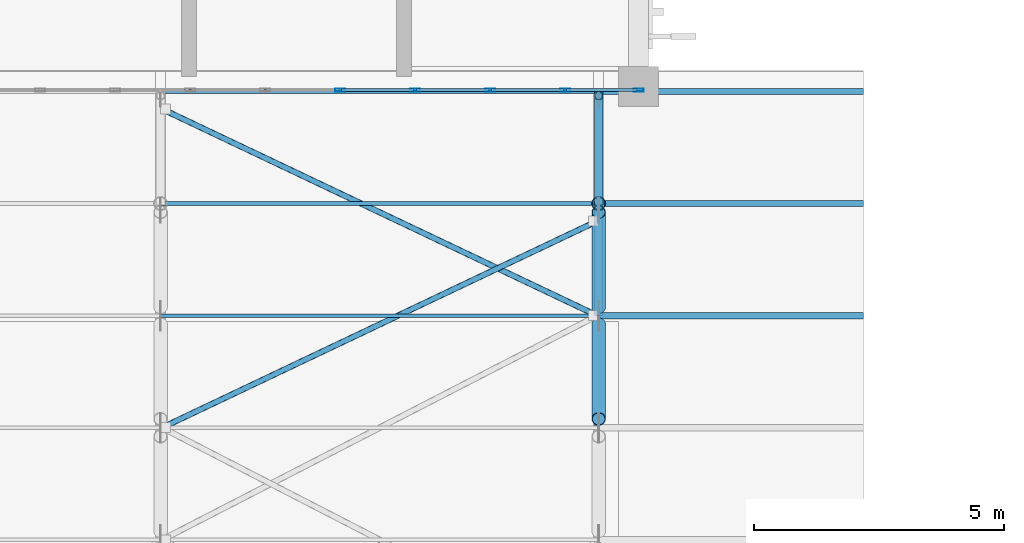
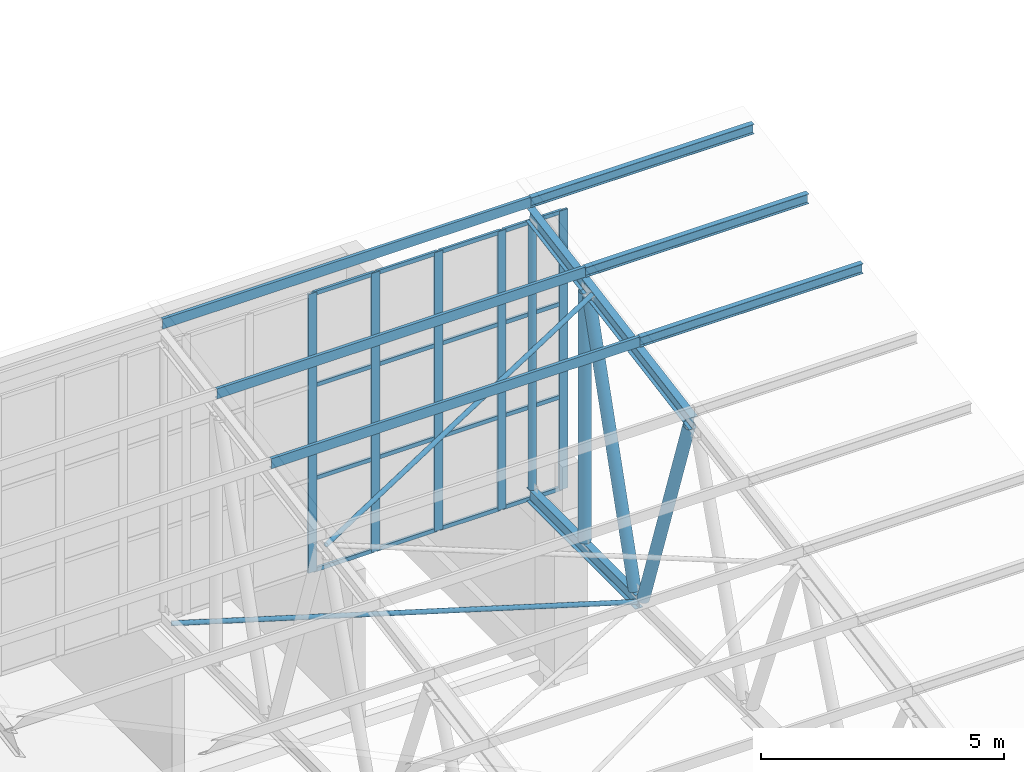
# One storey, part 68 of 185: 36 members, 1 element without a shape of its own.
"""IFC4 building model written with IfcOpenShell, lengths in metres."""

from ifc_helpers import new_model, si_unit, direction, frame, origin, origin_2d, place, context, subcontext, project, spatial, polyline, hollow_rectangle, hollow_circle, i_section, outline, extrude, material, layer, layer_set, material_profile, profile_set, type_object, element, aggregate, save


model = new_model("IFC4")

# Units and contexts
model_context = context("Model", 3, precision=1e-05, world=origin(), true_north=direction((0.0, 1.0)))
body_context = subcontext(model_context, "Body", "Model", "MODEL_VIEW")
ifc_project = project(units=[si_unit("LENGTHUNIT", "METRE"), si_unit("AREAUNIT", "SQUARE_METRE"), si_unit("VOLUMEUNIT", "CUBIC_METRE"), si_unit("PLANEANGLEUNIT", "RADIAN"), si_unit("MASSUNIT", "GRAM", prefix="KILO")], contexts=[model_context])

# Site, building, storey
site_placement = place(None, origin())
site = spatial("IfcSite", under=ifc_project, at=site_placement, CompositionType="ELEMENT")
building_placement = place(site_placement, origin())
building = spatial("IfcBuilding", under=site, at=building_placement, Name="Opaline Strait Convention Centre", CompositionType="ELEMENT")
storey_placement = place(building_placement, frame((0.0, 0.0, 6.0)))
storey = spatial("IfcBuildingStorey", under=building, at=storey_placement, Name="L01", CompositionType="ELEMENT", Elevation=6.0)

# Curtain wall, members
ifc_material_1 = material(Name="Aluminium 6063-T5", Category="aluminium")
ifc_layer = layer(ifc_material_1, 0.199951171875)
ifc_layer_set = layer_set([ifc_layer], Name="Aluminium 6063-T5")
curtain_wall_type = type_object("IfcCurtainWallType", Name="Unitised curtain wall 1640 module", PredefinedType="NOTDEFINED", material=ifc_layer_set)
curtain_wall_placement = place(storey_placement, origin())
curtain_wall = element("IfcCurtainWall", 1, at=curtain_wall_placement, inside=storey, type_object=curtain_wall_type, Name="Ballroom north clerestory curtain wall", PredefinedType="NOTDEFINED")
ifc_material_2 = material(Name="Aluminium alloy 6063", Category="aluminium")
ifc_material_profile_1 = material_profile(ifc_material_2, hollow_rectangle(XDim=0.06005859375, YDim=0.199951171875, WallThickness=0.00390625, at=origin_2d()), Name="MULLION 60x200x4")
ifc_profile_set_1 = profile_set([ifc_material_profile_1], Name="Aluminium alloy 6063")
member_type_1 = type_object("IfcMemberType", Name="Curtain wall mullion 60 x 200", PredefinedType="MULLION", material=ifc_profile_set_1)
member_1_placement = place(storey_placement, frame((345.0244140625, 62.929931640625, 4.324951171875), z_axis=(0.0, 0.0, 1.0), x_axis=(0.0, 1.0, 0.0)))
member_1 = element("IfcMember", 2, at=member_1_placement, type_object=member_type_1, Name="BG2 mullion 39", PredefinedType="MULLION", context=body_context, shape_type="SweptSolid", body=[
    extrude(hollow_rectangle(XDim=0.06005859375, YDim=0.199951171875, WallThickness=0.00390625, at=origin_2d()), origin(), (0.0, 0.0, 1.0), 7.01513671875),
])
member_2_placement = place(storey_placement, frame((346.525634765625, 62.929931640625, 4.324951171875), z_axis=(0.0, 0.0, 1.0), x_axis=(0.0, 1.0, 0.0)))
member_2 = element("IfcMember", 3, at=member_2_placement, type_object=member_type_1, Name="BG2 mullion 40", PredefinedType="MULLION", context=body_context, shape_type="SweptSolid", body=[
    extrude(hollow_rectangle(XDim=0.06005859375, YDim=0.199951171875, WallThickness=0.00390625, at=origin_2d()), origin(), (0.0, 0.0, 1.0), 7.01513671875),
])
member_3_placement = place(storey_placement, frame((348.027099609375, 62.929931640625, 4.324951171875), z_axis=(0.0, 0.0, 1.0), x_axis=(0.0, 1.0, 0.0)))
member_3 = element("IfcMember", 4, at=member_3_placement, type_object=member_type_1, Name="BG2 mullion 41", PredefinedType="MULLION", context=body_context, shape_type="SweptSolid", body=[
    extrude(hollow_rectangle(XDim=0.06005859375, YDim=0.199951171875, WallThickness=0.00390625, at=origin_2d()), origin(), (0.0, 0.0, 1.0), 7.01513671875),
])
member_4_placement = place(storey_placement, frame((349.528564453125, 62.929931640625, 4.324951171875), z_axis=(0.0, 0.0, 1.0), x_axis=(0.0, 1.0, 0.0)))
member_4 = element("IfcMember", 5, at=member_4_placement, type_object=member_type_1, Name="BG2 mullion 42", PredefinedType="MULLION", context=body_context, shape_type="SweptSolid", body=[
    extrude(hollow_rectangle(XDim=0.06005859375, YDim=0.199951171875, WallThickness=0.00390625, at=origin_2d()), origin(), (0.0, 0.0, 1.0), 7.01513671875),
])
member_5_placement = place(storey_placement, frame((351.0, 62.929931640625, 4.324951171875), z_axis=(0.0, 0.0, 1.0), x_axis=(0.0, 1.0, 0.0)))
member_5 = element("IfcMember", 6, at=member_5_placement, type_object=member_type_1, Name="BG2 mullion 43", PredefinedType="MULLION", context=body_context, shape_type="SweptSolid", body=[
    extrude(hollow_rectangle(XDim=0.06005859375, YDim=0.199951171875, WallThickness=0.00390625, at=origin_2d()), origin(), (0.0, 0.0, 1.0), 7.01513671875),
])
ifc_material_profile_2 = material_profile(ifc_material_2, hollow_rectangle(XDim=0.06005859375, YDim=0.10009765625, WallThickness=0.0029296875, at=origin_2d()), Name="TRANSOM 60x100x3")
ifc_profile_set_2 = profile_set([ifc_material_profile_2], Name="Aluminium alloy 6063")
member_type_2 = type_object("IfcMemberType", Name="Curtain wall transom 60 x 100", PredefinedType="USERDEFINED", material=ifc_profile_set_2)
member_6_placement = place(storey_placement, frame((345.05419921875, 62.929931640625, 4.35498046875), z_axis=(1.0, 0.0, 0.0), x_axis=(0.0, 1.0, 0.0)))
member_6 = element("IfcMember", 7, at=member_6_placement, type_object=member_type_2, Name="BG2 transom 39.1", ObjectType="TRANSOM", PredefinedType="USERDEFINED", context=body_context, shape_type="SweptSolid", body=[
    extrude(hollow_rectangle(XDim=0.06005859375, YDim=0.10009765625, WallThickness=0.0029296875, at=origin_2d()), origin(), (0.0, 0.0, 1.0), 1.441650390625),
])
member_7_placement = place(storey_placement, frame((345.05419921875, 62.929931640625, 6.663330078125), z_axis=(1.0, 0.0, 0.0), x_axis=(0.0, 1.0, 0.0)))
member_7 = element("IfcMember", 8, at=member_7_placement, type_object=member_type_2, Name="BG2 transom 39.2", ObjectType="TRANSOM", PredefinedType="USERDEFINED", context=body_context, shape_type="SweptSolid", body=[
    extrude(hollow_rectangle(XDim=0.06005859375, YDim=0.10009765625, WallThickness=0.0029296875, at=origin_2d()), origin(), (0.0, 0.0, 1.0), 1.441650390625),
])
member_8_placement = place(storey_placement, frame((345.05419921875, 62.929931640625, 9.001708984375), z_axis=(1.0, 0.0, 0.0), x_axis=(0.0, 1.0, 0.0)))
member_8 = element("IfcMember", 9, at=member_8_placement, type_object=member_type_2, Name="BG2 transom 39.3", ObjectType="TRANSOM", PredefinedType="USERDEFINED", context=body_context, shape_type="SweptSolid", body=[
    extrude(hollow_rectangle(XDim=0.06005859375, YDim=0.10009765625, WallThickness=0.0029296875, at=origin_2d()), origin(), (0.0, 0.0, 1.0), 1.441650390625),
])
member_9_placement = place(storey_placement, frame((345.05419921875, 62.929931640625, 11.31005859375), z_axis=(1.0, 0.0, 0.0), x_axis=(0.0, 1.0, 0.0)))
member_9 = element("IfcMember", 10, at=member_9_placement, type_object=member_type_2, Name="BG2 transom 39.4", ObjectType="TRANSOM", PredefinedType="USERDEFINED", context=body_context, shape_type="SweptSolid", body=[
    extrude(hollow_rectangle(XDim=0.06005859375, YDim=0.10009765625, WallThickness=0.0029296875, at=origin_2d()), origin(), (0.0, 0.0, 1.0), 1.441650390625),
])
member_10_placement = place(storey_placement, frame((346.5556640625, 62.929931640625, 4.35498046875), z_axis=(1.0, 0.0, 0.0), x_axis=(0.0, 1.0, 0.0)))
member_10 = element("IfcMember", 11, at=member_10_placement, type_object=member_type_2, Name="BG2 transom 40.1", ObjectType="TRANSOM", PredefinedType="USERDEFINED", context=body_context, shape_type="SweptSolid", body=[
    extrude(hollow_rectangle(XDim=0.06005859375, YDim=0.10009765625, WallThickness=0.0029296875, at=origin_2d()), origin(), (0.0, 0.0, 1.0), 1.44140625),
])
member_11_placement = place(storey_placement, frame((346.5556640625, 62.929931640625, 6.663330078125), z_axis=(1.0, 0.0, 0.0), x_axis=(0.0, 1.0, 0.0)))
member_11 = element("IfcMember", 12, at=member_11_placement, type_object=member_type_2, Name="BG2 transom 40.2", ObjectType="TRANSOM", PredefinedType="USERDEFINED", context=body_context, shape_type="SweptSolid", body=[
    extrude(hollow_rectangle(XDim=0.06005859375, YDim=0.10009765625, WallThickness=0.0029296875, at=origin_2d()), origin(), (0.0, 0.0, 1.0), 1.44140625),
])
member_12_placement = place(storey_placement, frame((346.5556640625, 62.929931640625, 9.001708984375), z_axis=(1.0, 0.0, 0.0), x_axis=(0.0, 1.0, 0.0)))
member_12 = element("IfcMember", 13, at=member_12_placement, type_object=member_type_2, Name="BG2 transom 40.3", ObjectType="TRANSOM", PredefinedType="USERDEFINED", context=body_context, shape_type="SweptSolid", body=[
    extrude(hollow_rectangle(XDim=0.06005859375, YDim=0.10009765625, WallThickness=0.0029296875, at=origin_2d()), origin(), (0.0, 0.0, 1.0), 1.44140625),
])
member_13_placement = place(storey_placement, frame((346.5556640625, 62.929931640625, 11.31005859375), z_axis=(1.0, 0.0, 0.0), x_axis=(0.0, 1.0, 0.0)))
member_13 = element("IfcMember", 14, at=member_13_placement, type_object=member_type_2, Name="BG2 transom 40.4", ObjectType="TRANSOM", PredefinedType="USERDEFINED", context=body_context, shape_type="SweptSolid", body=[
    extrude(hollow_rectangle(XDim=0.06005859375, YDim=0.10009765625, WallThickness=0.0029296875, at=origin_2d()), origin(), (0.0, 0.0, 1.0), 1.44140625),
])
member_14_placement = place(storey_placement, frame((348.05712890625, 62.929931640625, 4.35498046875), z_axis=(1.0, 0.0, 0.0), x_axis=(0.0, 1.0, 0.0)))
member_14 = element("IfcMember", 15, at=member_14_placement, type_object=member_type_2, Name="BG2 transom 41.1", ObjectType="TRANSOM", PredefinedType="USERDEFINED", context=body_context, shape_type="SweptSolid", body=[
    extrude(hollow_rectangle(XDim=0.06005859375, YDim=0.10009765625, WallThickness=0.0029296875, at=origin_2d()), origin(), (0.0, 0.0, 1.0), 1.44140625),
])
member_15_placement = place(storey_placement, frame((348.05712890625, 62.929931640625, 6.663330078125), z_axis=(1.0, 0.0, 0.0), x_axis=(0.0, 1.0, 0.0)))
member_15 = element("IfcMember", 16, at=member_15_placement, type_object=member_type_2, Name="BG2 transom 41.2", ObjectType="TRANSOM", PredefinedType="USERDEFINED", context=body_context, shape_type="SweptSolid", body=[
    extrude(hollow_rectangle(XDim=0.06005859375, YDim=0.10009765625, WallThickness=0.0029296875, at=origin_2d()), origin(), (0.0, 0.0, 1.0), 1.44140625),
])
member_16_placement = place(storey_placement, frame((348.05712890625, 62.929931640625, 9.001708984375), z_axis=(1.0, 0.0, 0.0), x_axis=(0.0, 1.0, 0.0)))
member_16 = element("IfcMember", 17, at=member_16_placement, type_object=member_type_2, Name="BG2 transom 41.3", ObjectType="TRANSOM", PredefinedType="USERDEFINED", context=body_context, shape_type="SweptSolid", body=[
    extrude(hollow_rectangle(XDim=0.06005859375, YDim=0.10009765625, WallThickness=0.0029296875, at=origin_2d()), origin(), (0.0, 0.0, 1.0), 1.44140625),
])
member_17_placement = place(storey_placement, frame((348.05712890625, 62.929931640625, 11.31005859375), z_axis=(1.0, 0.0, 0.0), x_axis=(0.0, 1.0, 0.0)))
member_17 = element("IfcMember", 18, at=member_17_placement, type_object=member_type_2, Name="BG2 transom 41.4", ObjectType="TRANSOM", PredefinedType="USERDEFINED", context=body_context, shape_type="SweptSolid", body=[
    extrude(hollow_rectangle(XDim=0.06005859375, YDim=0.10009765625, WallThickness=0.0029296875, at=origin_2d()), origin(), (0.0, 0.0, 1.0), 1.44140625),
])
member_18_placement = place(storey_placement, frame((349.55859375, 62.929931640625, 4.35498046875), z_axis=(1.0, 0.0, 0.0), x_axis=(0.0, 1.0, 0.0)))
member_18 = element("IfcMember", 19, at=member_18_placement, type_object=member_type_2, Name="BG2 transom 42.1", ObjectType="TRANSOM", PredefinedType="USERDEFINED", context=body_context, shape_type="SweptSolid", body=[
    extrude(hollow_rectangle(XDim=0.06005859375, YDim=0.10009765625, WallThickness=0.0029296875, at=origin_2d()), origin(), (0.0, 0.0, 1.0), 1.411376953125),
])
member_19_placement = place(storey_placement, frame((349.55859375, 62.929931640625, 6.663330078125), z_axis=(1.0, 0.0, 0.0), x_axis=(0.0, 1.0, 0.0)))
member_19 = element("IfcMember", 20, at=member_19_placement, type_object=member_type_2, Name="BG2 transom 42.2", ObjectType="TRANSOM", PredefinedType="USERDEFINED", context=body_context, shape_type="SweptSolid", body=[
    extrude(hollow_rectangle(XDim=0.06005859375, YDim=0.10009765625, WallThickness=0.0029296875, at=origin_2d()), origin(), (0.0, 0.0, 1.0), 1.411376953125),
])
member_20_placement = place(storey_placement, frame((349.55859375, 62.929931640625, 9.001708984375), z_axis=(1.0, 0.0, 0.0), x_axis=(0.0, 1.0, 0.0)))
member_20 = element("IfcMember", 21, at=member_20_placement, type_object=member_type_2, Name="BG2 transom 42.3", ObjectType="TRANSOM", PredefinedType="USERDEFINED", context=body_context, shape_type="SweptSolid", body=[
    extrude(hollow_rectangle(XDim=0.06005859375, YDim=0.10009765625, WallThickness=0.0029296875, at=origin_2d()), origin(), (0.0, 0.0, 1.0), 1.411376953125),
])
member_21_placement = place(storey_placement, frame((349.55859375, 62.929931640625, 11.31005859375), z_axis=(1.0, 0.0, 0.0), x_axis=(0.0, 1.0, 0.0)))
member_21 = element("IfcMember", 22, at=member_21_placement, type_object=member_type_2, Name="BG2 transom 42.4", ObjectType="TRANSOM", PredefinedType="USERDEFINED", context=body_context, shape_type="SweptSolid", body=[
    extrude(hollow_rectangle(XDim=0.06005859375, YDim=0.10009765625, WallThickness=0.0029296875, at=origin_2d()), origin(), (0.0, 0.0, 1.0), 1.411376953125),
])
aggregate(curtain_wall, [member_1, member_2, member_3, member_4, member_5, member_6, member_7, member_8, member_9, member_10, member_11, member_12, member_13, member_14, member_15, member_16, member_17, member_18, member_19, member_20, member_21])

# Members
ifc_material_3 = material(Name="Steel Q355B", Category="steel")
ifc_material_profile_3 = material_profile(ifc_material_3, i_section(OverallWidth=0.125, OverallDepth=0.25, WebThickness=0.006103515625, FlangeThickness=0.009033203125, FilletRadius=0.008056640625, at=origin_2d()), Name="HN 250x125x6x9")
ifc_profile_set_3 = profile_set([ifc_material_profile_3], Name="Steel Q355B")
member_type_3 = type_object("IfcMemberType", Name="Eaves purlin HN 250x125x6x9", PredefinedType="RAFTER", material=ifc_profile_set_3)
for number, where, z_axis, x_axis, name in (
    (23, (350.199951171875, 58.41259765625, 11.049560546875), (1.0, 0.0, 0.0), (0.0, 1.0, 0.0), "BU2 purlin line 16 bay 9"),
    (24, (350.199951171875, 60.65625, 11.445068359375), (1.0, 0.0, 0.0), (0.0, 1.0, 0.0), "BU2 purlin line 17 bay 9"),
    (25, (350.199951171875, 62.89990234375, 11.8408203125), (1.0, 0.0, 0.0), (0.0, 1.0, 0.0), "BU2 purlin line 18 bay 9"),
):
    element("IfcMember", number, at=place(storey_placement, frame(where, z_axis=z_axis, x_axis=x_axis)), inside=storey, type_object=member_type_3, Name=name, PredefinedType="RAFTER", context=body_context, shape_type="SweptSolid", body=[
        extrude(i_section(OverallWidth=0.125, OverallDepth=0.25, WebThickness=0.006103515625, FlangeThickness=0.009033203125, FilletRadius=0.008056640625, at=origin_2d()), origin(), (0.0, 0.0, 1.0), 5.300048828125),
    ])
ifc_material_profile_4 = material_profile(ifc_material_3, hollow_circle(Radius=0.056884765625, WallThickness=0.006103515625, at=origin_2d()), Name="CHS 114x6")
ifc_profile_set_4 = profile_set([ifc_material_profile_4], Name="Steel Q355B")
member_type_4 = type_object("IfcMemberType", Name="Roof plan brace CHS 114x6", PredefinedType="BRACE", material=ifc_profile_set_4)
member_22_placement = place(storey_placement, frame((341.456298828125, 56.168701171875, 10.34326171875), z_axis=(0.900809171332, 0.427619412509, 0.075395456693), x_axis=(-0.428840014749, 0.903380452384, 0.0)))
element("IfcMember", 26, at=member_22_placement, inside=storey, type_object=member_type_4, Name="BR1 top plane brace end bay 2 panel 7", PredefinedType="BRACE", context=body_context, shape_type="SweptSolid", body=[
    extrude(hollow_circle(Radius=0.056884765625, WallThickness=0.006103515625, at=origin_2d()), origin(), (0.0, 0.0, 1.0), 9.675537109375),
])
member_23_placement = place(storey_placement, frame((350.172119140625, 58.41259765625, 4.5), z_axis=(-0.903380452384, 0.428840014749, 0.0), x_axis=(-0.428840014749, -0.903380452384, 0.0)))
element("IfcMember", 27, at=member_23_placement, inside=storey, type_object=member_type_4, Name="BR1 bottom plane brace end bay 2 panel 8", PredefinedType="BRACE", context=body_context, shape_type="SweptSolid", body=[
    extrude(hollow_circle(Radius=0.056884765625, WallThickness=0.006103515625, at=origin_2d()), origin(), (0.0, 0.0, 1.0), 9.64794921875),
])
ifc_material_profile_5 = material_profile(ifc_material_3, outline(polyline([(-0.03759765625, -0.125), (0.03759765625, -0.125), (0.03759765625, -0.10498046875), (0.034423828125, -0.10498046875), (0.034423828125, -0.1220703125), (-0.034423828125, -0.1220703125), (-0.034423828125, 0.1220703125), (0.034423828125, 0.1220703125), (0.034423828125, 0.10498046875), (0.03759765625, 0.10498046875), (0.03759765625, 0.125), (-0.03759765625, 0.125), (-0.03759765625, -0.125)])), Name="C 250x75x20x3")
ifc_profile_set_5 = profile_set([ifc_material_profile_5], Name="Steel Q355B")
member_type_5 = type_object("IfcMemberType", Name="Roof purlin C 250x75x20x3", PredefinedType="RAFTER", material=ifc_profile_set_5)
for number, where, z_axis, x_axis, name in (
    (28, (341.4287109375, 58.41259765625, 11.049560546875), (1.0, 0.0, 0.0), (0.0, 1.0, 0.0), "BU1 purlin line 16 bay 8"),
    (29, (341.4287109375, 60.65625, 11.445068359375), (1.0, 0.0, 0.0), (0.0, 1.0, 0.0), "BU1 purlin line 17 bay 8"),
    (30, (341.4287109375, 62.89990234375, 11.8408203125), (1.0, 0.0, 0.0), (0.0, 1.0, 0.0), "BU1 purlin line 18 bay 8"),
):
    element("IfcMember", number, at=place(storey_placement, frame(where, z_axis=z_axis, x_axis=x_axis)), inside=storey, type_object=member_type_5, Name=name, PredefinedType="RAFTER", context=body_context, shape_type="SweptSolid", body=[
        extrude(outline(polyline([(-0.03759765625, -0.125), (0.03759765625, -0.125), (0.03759765625, -0.10498046875), (0.034423828125, -0.10498046875), (0.034423828125, -0.1220703125), (-0.034423828125, -0.1220703125), (-0.034423828125, 0.1220703125), (0.034423828125, 0.1220703125), (0.034423828125, 0.10498046875), (0.03759765625, 0.10498046875), (0.03759765625, 0.125), (-0.03759765625, 0.125), (-0.03759765625, -0.125)])), origin(), (0.0, 0.0, 1.0), 8.771240234375),
    ])
ifc_material_profile_6 = material_profile(ifc_material_3, i_section(OverallWidth=0.175048828125, OverallDepth=0.35009765625, WebThickness=0.007080078125, FlangeThickness=0.010986328125, FilletRadius=0.012939453125, at=origin_2d()), Name="HN 350x175x7x11")
ifc_profile_set_6 = profile_set([ifc_material_profile_6], Name="Steel Q355B")
member_type_6 = type_object("IfcMemberType", Name="Truss bottom chord HN 350x175x7x11", PredefinedType="CHORD", material=ifc_profile_set_6)
member_24_placement = place(storey_placement, frame((350.199951171875, 58.41259765625, 4.5), z_axis=(0.0, 1.0, 0.0), x_axis=(-1.0, 0.0, 0.0)))
element("IfcMember", 31, at=member_24_placement, inside=storey, type_object=member_type_6, Name="BT2 bottom chord line 8 panel 8", PredefinedType="CHORD", context=body_context, shape_type="SweptSolid", body=[
    extrude(i_section(OverallWidth=0.175048828125, OverallDepth=0.35009765625, WebThickness=0.007080078125, FlangeThickness=0.010986328125, FilletRadius=0.012939453125, at=origin_2d()), origin(), (0.0, 0.0, 1.0), 4.4873046875),
])
ifc_material_profile_7 = material_profile(ifc_material_3, hollow_circle(Radius=0.083984375, WallThickness=0.008056640625, at=origin_2d()), Name="CHS 168x8")
ifc_profile_set_7 = profile_set([ifc_material_profile_7], Name="Steel Q355B")
member_type_7 = type_object("IfcMemberType", Name="Truss end post CHS 168x8", PredefinedType="STRUT", material=ifc_profile_set_7)
member_25_placement = place(storey_placement, frame((350.199951171875, 62.81591796875, 4.675048828125), z_axis=(0.0, 0.0, 1.0), x_axis=(1.0, 0.0, 0.0)))
element("IfcMember", 32, at=member_25_placement, inside=storey, type_object=member_type_7, Name="BW5 end post line 8", PredefinedType="STRUT", context=body_context, shape_type="SweptSolid", body=[
    extrude(hollow_circle(Radius=0.083984375, WallThickness=0.008056640625, at=origin_2d()), origin(), (0.0, 0.0, 1.0), 6.66259765625),
])
ifc_material_profile_8 = material_profile(ifc_material_3, i_section(OverallWidth=0.175048828125, OverallDepth=0.35009765625, WebThickness=0.007080078125, FlangeThickness=0.010986328125, FilletRadius=0.012939453125, at=origin_2d()), Name="HN 350x175x7x11")
ifc_profile_set_8 = profile_set([ifc_material_profile_8], Name="Steel Q355B")
member_type_8 = type_object("IfcMemberType", Name="Truss top chord HN 350x175x7x11", PredefinedType="CHORD", material=ifc_profile_set_8)
member_26_placement = place(storey_placement, frame((350.199951171875, 56.168701171875, 10.34326171875), z_axis=(0.0, 0.984808359847, 0.173644736101), x_axis=(-1.0, 0.0, 0.0)))
element("IfcMember", 33, at=member_26_placement, inside=storey, type_object=member_type_8, Name="BT1 top chord line 8 panel 9", PredefinedType="CHORD", context=body_context, shape_type="SweptSolid", body=[
    extrude(i_section(OverallWidth=0.175048828125, OverallDepth=0.35009765625, WebThickness=0.007080078125, FlangeThickness=0.010986328125, FilletRadius=0.012939453125, at=origin_2d()), origin(), (0.0, 0.0, 1.0), 4.556884765625),
])
member_27_placement = place(storey_placement, frame((350.199951171875, 60.65625, 11.134521484375), z_axis=(0.0, 0.984815906009, 0.173601933377), x_axis=(-1.0, 0.0, 0.0)))
element("IfcMember", 34, at=member_27_placement, inside=storey, type_object=member_type_8, Name="BT1 top chord line 8 panel 10", PredefinedType="CHORD", context=body_context, shape_type="SweptSolid", body=[
    extrude(i_section(OverallWidth=0.175048828125, OverallDepth=0.35009765625, WebThickness=0.007080078125, FlangeThickness=0.010986328125, FilletRadius=0.012939453125, at=origin_2d()), origin(), (0.0, 0.0, 1.0), 2.2783203125),
])
ifc_material_profile_9 = material_profile(ifc_material_3, hollow_circle(Radius=0.136474609375, WallThickness=0.011962890625, at=origin_2d()), Name="CHS 273x12")
ifc_profile_set_9 = profile_set([ifc_material_profile_9], Name="Steel Q355B")
member_type_9 = type_object("IfcMemberType", Name="Truss web CHS 273x12", PredefinedType="BRACE", material=ifc_profile_set_9)
member_28_placement = place(storey_placement, frame((350.199951171875, 58.23828125, 4.678955078125), z_axis=(0.0, -0.325083279509, 0.945685392392), x_axis=(1.0, 0.0, 0.0)))
element("IfcMember", 35, at=member_28_placement, inside=storey, type_object=member_type_9, Name="BW4 web line 8 member 14", PredefinedType="BRACE", context=body_context, shape_type="SweptSolid", body=[
    extrude(hollow_circle(Radius=0.136474609375, WallThickness=0.011962890625, at=origin_2d()), origin(), (0.0, 0.0, 1.0), 5.830078125),
])
member_29_placement = place(storey_placement, frame((350.199951171875, 58.585205078125, 4.678955078125), z_axis=(0.0, 0.290918943534, 0.956747703574), x_axis=(-1.0, 0.0, 0.0)))
element("IfcMember", 36, at=member_29_placement, inside=storey, type_object=member_type_9, Name="BW4 web line 8 member 15", PredefinedType="BRACE", context=body_context, shape_type="SweptSolid", body=[
    extrude(hollow_circle(Radius=0.136474609375, WallThickness=0.011962890625, at=origin_2d()), origin(), (0.0, 0.0, 1.0), 6.525634765625),
])
member_30_placement = place(storey_placement, frame((350.199951171875, 60.65625, 4.675048828125), z_axis=(0.0, 0.0, 1.0), x_axis=(1.0, 0.0, 0.0)))
element("IfcMember", 37, at=member_30_placement, inside=storey, type_object=member_type_9, Name="BW4 frame post line 8", PredefinedType="BRACE", context=body_context, shape_type="SweptSolid", body=[
    extrude(hollow_circle(Radius=0.136474609375, WallThickness=0.011962890625, at=origin_2d()), origin(), (0.0, 0.0, 1.0), 6.28173828125),
])

save(model, "model.ifc")
